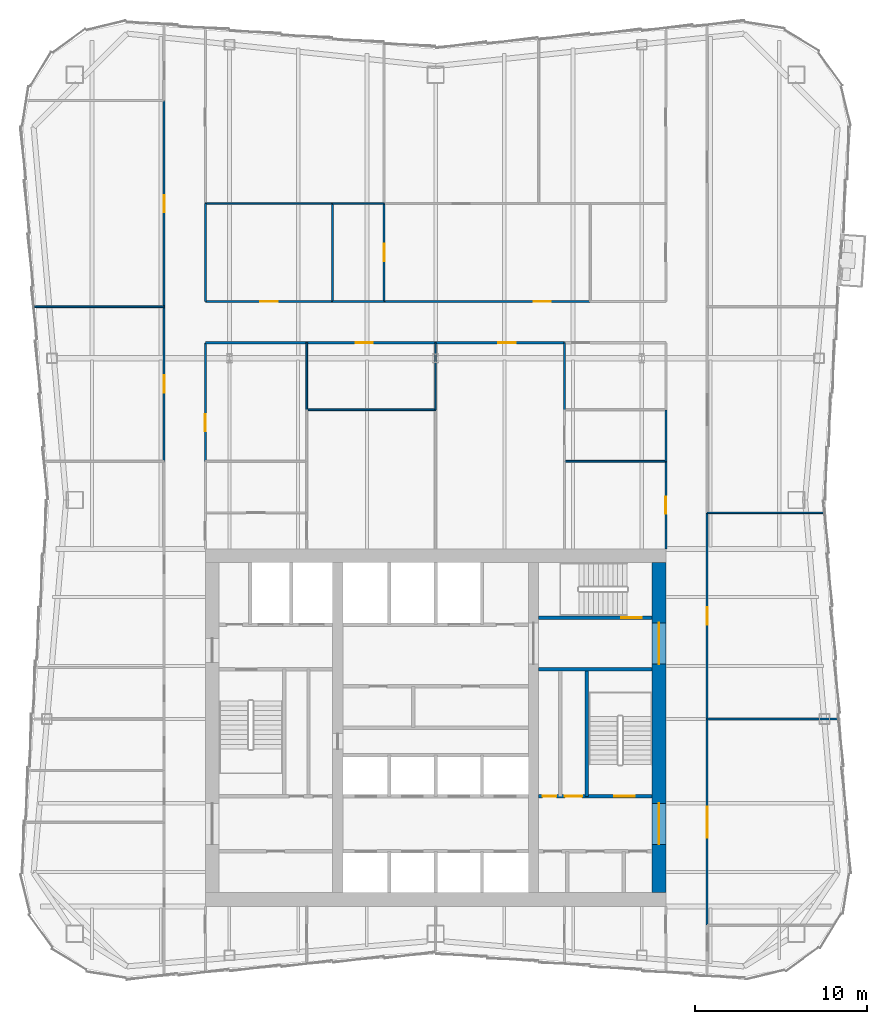
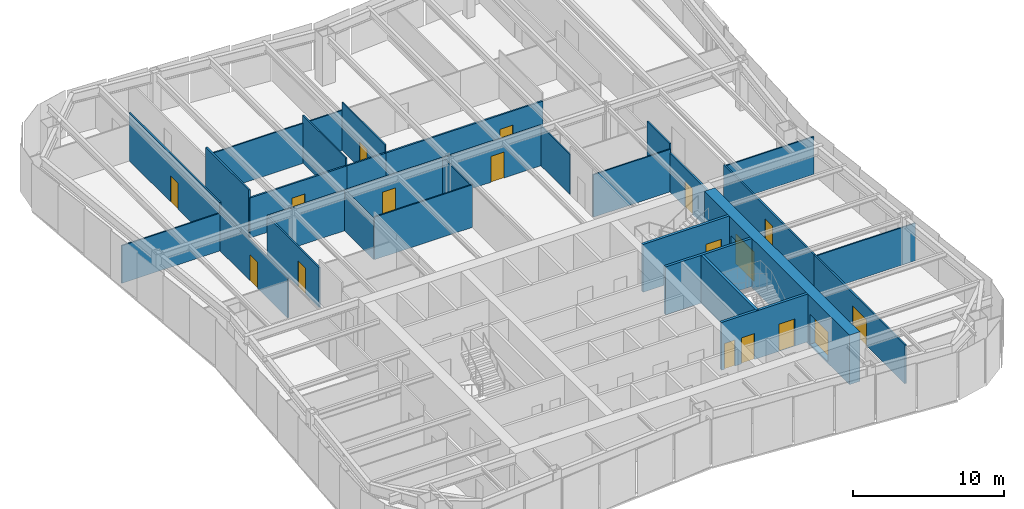
# One storey, part 8 of 11: 31 walls, 17 doors, 17 openings.
"""IFC4 building model written with IfcOpenShell, lengths in metres."""

from ifc_helpers import new_model, si_unit, direction, frame, frame_2d, origin, place, context, subcontext, project, spatial, rectangle, extrude, material, layer, layer_set, type_object, element, fill, save


model = new_model("IFC4")

# Units and contexts
model_context = context("Model", 3, precision=1e-05, world=origin(), true_north=direction((0.0, 1.0)))
body_context = subcontext(model_context, "Body", "Model", "MODEL_VIEW")
ifc_project = project(units=[si_unit("LENGTHUNIT", "METRE"), si_unit("AREAUNIT", "SQUARE_METRE"), si_unit("VOLUMEUNIT", "CUBIC_METRE"), si_unit("PLANEANGLEUNIT", "RADIAN"), si_unit("MASSUNIT", "GRAM", prefix="KILO")], contexts=[model_context])

# Site, building, storey
site_placement = place(None, origin())
site = spatial("IfcSite", under=ifc_project, at=site_placement, CompositionType="ELEMENT")
building_placement = place(site_placement, origin())
building = spatial("IfcBuilding", under=site, at=building_placement, Name="Verdant Reach Tower", CompositionType="ELEMENT")
storey_placement = place(building_placement, frame((0.0, 0.0, 254.0)))
storey = spatial("IfcBuildingStorey", under=building, at=storey_placement, Name="L58", CompositionType="ELEMENT", Elevation=254.0)

# Wall, openings, doors
ifc_material_1 = material(Name="Concrete C40/50", Category="concrete")
ifc_layer_1 = layer(ifc_material_1, 0.199951171875)
ifc_layer_set_1 = layer_set([ifc_layer_1], Name="CO-WALL-STAIR")
wall_type_1 = type_object("IfcWallType", Name="CO-WALL-STAIR", PredefinedType="PARTITIONING", material=ifc_layer_set_1)
wall_1_placement = place(storey_placement, frame((6.0, 24.0, 0.0), z_axis=(0.0, 0.0, 1.0), x_axis=(1.0, 0.0, 0.0)))
wall_1 = element("IfcWall", 1, at=wall_1_placement, inside=storey, type_object=wall_type_1, Name="Stair enclosure wall, L58", PredefinedType="PARTITIONING", context=body_context, shape_type="SweptSolid", body=[
    extrude(rectangle(XDim=6.60009765625, YDim=0.199951171875, at=frame_2d((3.300048828125, 0.0))), origin(), (0.0, 0.0, 1.0), 3.8701171875),
])
opening_1_placement = place(wall_1_placement, frame((0.22998046875, 0.0, 0.0)))
opening_1 = element("IfcOpeningElement", 2, at=opening_1_placement, cuts=wall_1, Name="Opening CDN", PredefinedType="OPENING", context=body_context, shape_type="SweptSolid", body=[
    extrude(rectangle(XDim=0.800048828125, YDim=2.10009765625, at=frame_2d((0.39990234375, 1.050048828125))), frame((0.0, 0.10986328125, 0.0), z_axis=(0.0, -1.0, 0.0), x_axis=(1.0, 0.0, 0.0)), (0.0, 0.0, 1.0), 0.219970703125),
])
opening_2_placement = place(wall_1_placement, frame((1.530029296875, 0.0, 0.0)))
opening_2 = element("IfcOpeningElement", 3, at=opening_2_placement, cuts=wall_1, Name="Opening CD", PredefinedType="OPENING", context=body_context, shape_type="SweptSolid", body=[
    extrude(rectangle(XDim=1.0, YDim=2.10009765625, at=frame_2d((0.5, 1.050048828125))), frame((0.0, 0.10986328125, 0.0), z_axis=(0.0, -1.0, 0.0), x_axis=(1.0, 0.0, 0.0)), (0.0, 0.0, 1.0), 0.219970703125),
])
opening_3_placement = place(wall_1_placement, frame((4.39990234375, 0.0, 0.0)))
opening_3 = element("IfcOpeningElement", 4, at=opening_3_placement, cuts=wall_1, Name="Opening SD", PredefinedType="OPENING", context=body_context, shape_type="SweptSolid", body=[
    extrude(rectangle(XDim=1.199951171875, YDim=2.199951171875, at=frame_2d((0.60009765625, 1.10009765625))), frame((0.0, 0.10986328125, 0.0), z_axis=(0.0, -1.0, 0.0), x_axis=(1.0, 0.0, 0.0)), (0.0, 0.0, 1.0), 0.219970703125),
])
ifc_material_2 = material(Name="Timber", Category="wood")
door_type_1 = type_object("IfcDoorType", Name="CO-DOOR-ROOM", OperationType="NOTDEFINED", PredefinedType="DOOR", material=ifc_material_2)
door_1_placement = place(opening_2_placement, origin())
door_1 = element("IfcDoor", 5, at=door_1_placement, inside=storey, type_object=door_type_1, Name="Core room door, L58", OperationType="SINGLE_SWING_LEFT", OverallHeight=2.10009765625, OverallWidth=1.0, PredefinedType="DOOR", context=body_context, shape_type="SweptSolid", body=[
    extrude(rectangle(XDim=1.0, YDim=2.10009765625, at=frame_2d((0.5, 1.050048828125))), frame((0.0, 0.02490234375, 0.0), z_axis=(0.0, -1.0, 0.0), x_axis=(1.0, 0.0, 0.0)), (0.0, 0.0, 1.0), 0.050048828125),
])
fill(opening_2, door_1)
door_type_2 = type_object("IfcDoorType", Name="CO-DOOR-ROOM-NARROW", OperationType="NOTDEFINED", PredefinedType="DOOR", material=ifc_material_2)
door_2_placement = place(opening_1_placement, origin())
door_2 = element("IfcDoor", 6, at=door_2_placement, inside=storey, type_object=door_type_2, Name="Core room door, L58", OperationType="SINGLE_SWING_RIGHT", OverallHeight=2.10009765625, OverallWidth=0.800048828125, PredefinedType="DOOR", context=body_context, shape_type="SweptSolid", body=[
    extrude(rectangle(XDim=0.800048828125, YDim=2.10009765625, at=frame_2d((0.39990234375, 1.050048828125))), frame((0.0, 0.02490234375, 0.0), z_axis=(0.0, -1.0, 0.0), x_axis=(1.0, 0.0, 0.0)), (0.0, 0.0, 1.0), 0.050048828125),
])
fill(opening_1, door_2)
ifc_material_3 = material(Name="Steel", Category="steel")
door_type_3 = type_object("IfcDoorType", Name="CO-DOOR-STAIR", OperationType="NOTDEFINED", PredefinedType="DOOR", material=ifc_material_3)
door_3_placement = place(opening_3_placement, origin())
door_3 = element("IfcDoor", 7, at=door_3_placement, inside=storey, type_object=door_type_3, Name="Stair door, L58", OperationType="SINGLE_SWING_LEFT", OverallHeight=2.199951171875, OverallWidth=1.199951171875, PredefinedType="DOOR", context=body_context, shape_type="SweptSolid", body=[
    extrude(rectangle(XDim=1.199951171875, YDim=2.199951171875, at=frame_2d((0.60009765625, 1.10009765625))), frame((0.0, 0.02490234375, 0.0), z_axis=(0.0, -1.0, 0.0), x_axis=(1.0, 0.0, 0.0)), (0.0, 0.0, 1.0), 0.050048828125),
])
fill(opening_3, door_3)

# Wall
wall_2_placement = place(storey_placement, frame((6.0, 31.39990234375, 0.0), z_axis=(0.0, 0.0, 1.0), x_axis=(1.0, 0.0, 0.0)))
element("IfcWall", 8, at=wall_2_placement, inside=storey, type_object=wall_type_1, Name="Stair enclosure wall, L58", PredefinedType="PARTITIONING", context=body_context, shape_type="SweptSolid", body=[
    extrude(rectangle(XDim=6.60009765625, YDim=0.199951171875, at=frame_2d((3.300048828125, 0.0))), origin(), (0.0, 0.0, 1.0), 3.8701171875),
])

# Wall, opening, door
wall_3_placement = place(storey_placement, frame((6.0, 34.39990234375, 0.0), z_axis=(0.0, 0.0, 1.0), x_axis=(1.0, 0.0, 0.0)))
wall_3 = element("IfcWall", 9, at=wall_3_placement, inside=storey, type_object=wall_type_1, Name="Stair enclosure wall, L58", PredefinedType="PARTITIONING", context=body_context, shape_type="SweptSolid", body=[
    extrude(rectangle(XDim=6.60009765625, YDim=0.199951171875, at=frame_2d((3.300048828125, 0.0))), origin(), (0.0, 0.0, 1.0), 3.8701171875),
])
opening_4_placement = place(wall_3_placement, frame((4.800048828125, 0.0, 0.0)))
opening_4 = element("IfcOpeningElement", 10, at=opening_4_placement, cuts=wall_3, Name="Opening SD", PredefinedType="OPENING", context=body_context, shape_type="SweptSolid", body=[
    extrude(rectangle(XDim=1.199951171875, YDim=2.199951171875, at=frame_2d((0.60009765625, 1.10009765625))), frame((0.0, 0.10986328125, 0.0), z_axis=(0.0, -1.0, 0.0), x_axis=(1.0, 0.0, 0.0)), (0.0, 0.0, 1.0), 0.219970703125),
])
door_4_placement = place(opening_4_placement, origin())
door_4 = element("IfcDoor", 11, at=door_4_placement, inside=storey, type_object=door_type_3, Name="Stair door, L58", OperationType="SINGLE_SWING_RIGHT", OverallHeight=2.199951171875, OverallWidth=1.199951171875, PredefinedType="DOOR", context=body_context, shape_type="SweptSolid", body=[
    extrude(rectangle(XDim=1.199951171875, YDim=2.199951171875, at=frame_2d((0.60009765625, 1.10009765625))), frame((0.0, 0.02490234375, 0.0), z_axis=(0.0, -1.0, 0.0), x_axis=(1.0, 0.0, 0.0)), (0.0, 0.0, 1.0), 0.050048828125),
])
fill(opening_4, door_4)

# Walls
wall_4_placement = place(storey_placement, frame((8.800048828125, 24.0, 0.0), z_axis=(0.0, 0.0, 1.0), x_axis=(0.0, 1.0, 0.0)))
element("IfcWall", 12, at=wall_4_placement, inside=storey, type_object=wall_type_1, Name="Stair enclosure wall, L58", PredefinedType="PARTITIONING", context=body_context, shape_type="SweptSolid", body=[
    extrude(rectangle(XDim=7.39990234375, YDim=0.199951171875, at=frame_2d((3.699951171875, 0.0))), origin(), (0.0, 0.0, 1.0), 3.8701171875),
])
ifc_material_4 = material(Name="Gypsum board on steel studs", Category="steel")
ifc_layer_2 = layer(ifc_material_4, 0.10009765625)
ifc_layer_set_2 = layer_set([ifc_layer_2], Name="FL-W1 Partition 100")
wall_type_2 = type_object("IfcWallType", Name="FL-W1 Partition 100", PredefinedType="PARTITIONING", material=ifc_layer_set_2)
wall_5_placement = place(storey_placement, frame((-15.800048828125, 52.5, 0.0), z_axis=(0.0, 0.0, 1.0), x_axis=(-1.0, 0.0, 0.0)))
element("IfcWall", 13, at=wall_5_placement, inside=storey, type_object=wall_type_2, Name="Partition 58.39", PredefinedType="PARTITIONING", context=body_context, shape_type="SweptSolid", body=[
    extrude(rectangle(XDim=7.555908203125, YDim=0.10009765625, at=frame_2d((3.77783203125, 0.0))), origin(), (0.0, 0.0, 1.0), 3.0400390625),
])
wall_6_placement = place(storey_placement, frame((23.459228515625, 28.5, 0.0), z_axis=(0.0, 0.0, 1.0), x_axis=(-1.0, 0.0, 0.0)))
element("IfcWall", 14, at=wall_6_placement, inside=storey, type_object=wall_type_2, Name="Partition 58.42", PredefinedType="PARTITIONING", context=body_context, shape_type="SweptSolid", body=[
    extrude(rectangle(XDim=7.6591796875, YDim=0.10009765625, at=frame_2d((3.82958984375, 0.0))), origin(), (0.0, 0.0, 1.0), 3.0400390625),
])
wall_7_placement = place(storey_placement, frame((22.631591796875, 40.5, 0.0), z_axis=(0.0, 0.0, 1.0), x_axis=(-1.0, 0.0, 0.0)))
element("IfcWall", 15, at=wall_7_placement, inside=storey, type_object=wall_type_2, Name="Partition 58.43", PredefinedType="PARTITIONING", context=body_context, shape_type="SweptSolid", body=[
    extrude(rectangle(XDim=6.83154296875, YDim=0.10009765625, at=frame_2d((3.415771484375, 0.0))), origin(), (0.0, 0.0, 1.0), 3.0400390625),
])
wall_8_placement = place(storey_placement, frame((-7.5, 46.5, 0.0), z_axis=(0.0, 0.0, 1.0), x_axis=(0.0, 1.0, 0.0)))
element("IfcWall", 16, at=wall_8_placement, inside=storey, type_object=wall_type_2, Name="Partition 58.53", PredefinedType="PARTITIONING", context=body_context, shape_type="SweptSolid", body=[
    extrude(rectangle(XDim=3.89990234375, YDim=0.10009765625, at=frame_2d((1.949951171875, 0.0))), origin(), (0.0, 0.0, 1.0), 3.239990234375),
])
wall_9_placement = place(storey_placement, frame((0.0, 46.5, 0.0), z_axis=(0.0, 0.0, 1.0), x_axis=(-1.0, 0.0, 0.0)))
element("IfcWall", 17, at=wall_9_placement, inside=storey, type_object=wall_type_2, Name="Partition 58.54", PredefinedType="PARTITIONING", context=body_context, shape_type="SweptSolid", body=[
    extrude(rectangle(XDim=7.5, YDim=0.10009765625, at=frame_2d((3.75, 0.0))), origin(), (0.0, 0.0, 1.0), 3.43994140625),
])
wall_10_placement = place(storey_placement, frame((0.0, 46.49609375, 0.0), z_axis=(0.0, 0.0, 1.0), x_axis=(0.0, 1.0, 0.0)))
element("IfcWall", 18, at=wall_10_placement, inside=storey, type_object=wall_type_2, Name="Partition 58.56", PredefinedType="PARTITIONING", context=body_context, shape_type="SweptSolid", body=[
    extrude(rectangle(XDim=3.90380859375, YDim=0.10009765625, at=frame_2d((1.951904296875, 0.0))), origin(), (0.0, 0.0, 1.0), 3.2900390625),
])
wall_11_placement = place(storey_placement, frame((13.39990234375, 43.5, 0.0), z_axis=(0.0, 0.0, 1.0), x_axis=(-1.0, 0.0, 0.0)))
element("IfcWall", 19, at=wall_11_placement, inside=storey, type_object=wall_type_2, Name="Partition 58.57", PredefinedType="PARTITIONING", context=body_context, shape_type="SweptSolid", body=[
    extrude(rectangle(XDim=5.89990234375, YDim=0.10009765625, at=frame_2d((2.949951171875, 0.0))), origin(), (0.0, 0.0, 1.0), 3.43994140625),
])
wall_12_placement = place(storey_placement, frame((7.5, 50.39990234375, 0.0), z_axis=(0.0, 0.0, 1.0), x_axis=(0.0, -1.0, 0.0)))
element("IfcWall", 20, at=wall_12_placement, inside=storey, type_object=wall_type_2, Name="Partition 58.61", PredefinedType="PARTITIONING", context=body_context, shape_type="SweptSolid", body=[
    extrude(rectangle(XDim=3.90380859375, YDim=0.10009765625, at=frame_2d((1.951904296875, 0.0))), origin(), (0.0, 0.0, 1.0), 3.239990234375),
])
wall_13_placement = place(storey_placement, frame((-6.0, 52.800048828125, 0.0), z_axis=(0.0, 0.0, 1.0), x_axis=(0.0, 1.0, 0.0)))
element("IfcWall", 21, at=wall_13_placement, inside=storey, type_object=wall_type_2, Name="Partition 58.62", PredefinedType="PARTITIONING", context=body_context, shape_type="SweptSolid", body=[
    extrude(rectangle(XDim=5.699951171875, YDim=0.10009765625, at=frame_2d((2.85009765625, 0.0))), origin(), (0.0, 0.0, 1.0), 3.8701171875),
])
wall_14_placement = place(storey_placement, frame((-5.99609375, 58.5, 0.0), z_axis=(0.0, 0.0, 1.0), x_axis=(-1.0, 0.0, 0.0)))
element("IfcWall", 22, at=wall_14_placement, inside=storey, type_object=wall_type_2, Name="Partition 58.63", PredefinedType="PARTITIONING", context=body_context, shape_type="SweptSolid", body=[
    extrude(rectangle(XDim=7.40380859375, YDim=0.10009765625, at=frame_2d((3.701904296875, 0.0))), origin(), (0.0, 0.0, 1.0), 3.239990234375),
])

# Wall, opening, door
wall_15_placement = place(storey_placement, frame((-3.0, 52.800048828125, 0.0), z_axis=(0.0, 0.0, 1.0), x_axis=(0.0, 1.0, 0.0)))
wall_15 = element("IfcWall", 23, at=wall_15_placement, inside=storey, type_object=wall_type_2, Name="Partition 58.64", PredefinedType="PARTITIONING", context=body_context, shape_type="SweptSolid", body=[
    extrude(rectangle(XDim=5.699951171875, YDim=0.10009765625, at=frame_2d((2.85009765625, 0.0))), origin(), (0.0, 0.0, 1.0), 3.8701171875),
])
opening_5_placement = place(wall_15_placement, frame((2.35009765625, 0.0, 0.0)))
opening_5 = element("IfcOpeningElement", 24, at=opening_5_placement, cuts=wall_15, Name="Opening D3", PredefinedType="OPENING", context=body_context, shape_type="SweptSolid", body=[
    extrude(rectangle(XDim=1.0, YDim=2.10009765625, at=frame_2d((0.5, 1.050048828125))), frame((0.0, 0.06005859375, 0.0), z_axis=(0.0, -1.0, 0.0), x_axis=(1.0, 0.0, 0.0)), (0.0, 0.0, 1.0), 0.1201171875),
])
ifc_material_5 = material(Name="Painted timber door leaf", Category="wood")
door_type_4 = type_object("IfcDoorType", Name="FL-D3 Door 1000x2100", OperationType="NOTDEFINED", PredefinedType="DOOR", material=ifc_material_5)
door_5_placement = place(opening_5_placement, origin())
door_5 = element("IfcDoor", 25, at=door_5_placement, inside=storey, type_object=door_type_4, Name="Door 58-032", OperationType="SINGLE_SWING_RIGHT", OverallHeight=2.10009765625, OverallWidth=1.0, PredefinedType="DOOR", context=body_context, shape_type="SweptSolid", body=[
    extrude(rectangle(XDim=1.0, YDim=2.10009765625, at=frame_2d((0.5, 1.050048828125))), frame((0.0, 0.02490234375, 0.0), z_axis=(0.0, -1.0, 0.0), x_axis=(1.0, 0.0, 0.0)), (0.0, 0.0, 1.0), 0.050048828125),
])
fill(opening_5, door_5)

# Wall
wall_16_placement = place(storey_placement, frame((-3.0, 58.5, 0.0), z_axis=(0.0, 0.0, 1.0), x_axis=(-1.0, 0.0, 0.0)))
element("IfcWall", 26, at=wall_16_placement, inside=storey, type_object=wall_type_2, Name="Partition 58.65", PredefinedType="PARTITIONING", context=body_context, shape_type="SweptSolid", body=[
    extrude(rectangle(XDim=3.00390625, YDim=0.10009765625, at=frame_2d((1.501953125, 0.0))), origin(), (0.0, 0.0, 1.0), 3.239990234375),
])

# Wall, opening, door
ifc_material_6 = material(Name="Gypsum board on steel studs, fire rated", Category="steel")
ifc_layer_3 = layer(ifc_material_6, 0.125)
ifc_layer_set_3 = layer_set([ifc_layer_3], Name="FL-W2 Corridor wall 125")
wall_type_3 = type_object("IfcWallType", Name="FL-W2 Corridor wall 125", PredefinedType="PARTITIONING", material=ifc_layer_set_3)
wall_17_placement = place(storey_placement, frame((-15.800048828125, 43.5, 0.0), z_axis=(0.0, 0.0, 1.0), x_axis=(0.0, 1.0, 0.0)))
wall_17 = element("IfcWall", 27, at=wall_17_placement, inside=storey, type_object=wall_type_3, Name="Partition 58.06", PredefinedType="PARTITIONING", context=body_context, shape_type="SweptSolid", body=[
    extrude(rectangle(XDim=9.0, YDim=0.125, at=frame_2d((4.5, 0.0))), origin(), (0.0, 0.0, 1.0), 3.239990234375),
])
opening_6_placement = place(wall_17_placement, frame((4.0, 0.0, 0.0)))
opening_6 = element("IfcOpeningElement", 28, at=opening_6_placement, cuts=wall_17, Name="Opening D2", PredefinedType="OPENING", context=body_context, shape_type="SweptSolid", body=[
    extrude(rectangle(XDim=1.0, YDim=2.10009765625, at=frame_2d((0.5, 1.050048828125))), frame((0.0, 0.072509765625, 0.0), z_axis=(0.0, -1.0, 0.0), x_axis=(1.0, 0.0, 0.0)), (0.0, 0.0, 1.0), 0.14501953125),
])
ifc_material_7 = material(Name="Timber door leaf, fire rated", Category="wood")
door_type_5 = type_object("IfcDoorType", Name="FL-D2 Entrance door 1000x2100 FD30", OperationType="NOTDEFINED", PredefinedType="DOOR", material=ifc_material_7)
door_6_placement = place(opening_6_placement, origin())
door_6 = element("IfcDoor", 29, at=door_6_placement, inside=storey, type_object=door_type_5, Name="Door 58-006", OperationType="SINGLE_SWING_RIGHT", OverallHeight=2.10009765625, OverallWidth=1.0, PredefinedType="DOOR", context=body_context, shape_type="SweptSolid", body=[
    extrude(rectangle(XDim=1.0, YDim=2.10009765625, at=frame_2d((0.5, 1.050048828125))), frame((0.0, 0.02490234375, 0.0), z_axis=(0.0, -1.0, 0.0), x_axis=(1.0, 0.0, 0.0)), (0.0, 0.0, 1.0), 0.050048828125),
])
fill(opening_6, door_6)

wall_18_placement = place(storey_placement, frame((-15.800048828125, 52.5, 0.0), z_axis=(0.0, 0.0, 1.0), x_axis=(0.0, 1.0, 0.0)))
wall_18 = element("IfcWall", 30, at=wall_18_placement, inside=storey, type_object=wall_type_3, Name="Partition 58.07", PredefinedType="PARTITIONING", context=body_context, shape_type="SweptSolid", body=[
    extrude(rectangle(XDim=12.0, YDim=0.125, at=frame_2d((6.0, 0.0))), origin(), (0.0, 0.0, 1.0), 3.8701171875),
])
opening_7_placement = place(wall_18_placement, frame((5.5, 0.0, 0.0)))
opening_7 = element("IfcOpeningElement", 31, at=opening_7_placement, cuts=wall_18, Name="Opening D2", PredefinedType="OPENING", context=body_context, shape_type="SweptSolid", body=[
    extrude(rectangle(XDim=1.0, YDim=2.10009765625, at=frame_2d((0.5, 1.050048828125))), frame((0.0, 0.072509765625, 0.0), z_axis=(0.0, -1.0, 0.0), x_axis=(1.0, 0.0, 0.0)), (0.0, 0.0, 1.0), 0.14501953125),
])
door_7_placement = place(opening_7_placement, origin())
door_7 = element("IfcDoor", 32, at=door_7_placement, inside=storey, type_object=door_type_5, Name="Door 58-007", OperationType="SINGLE_SWING_LEFT", OverallHeight=2.10009765625, OverallWidth=1.0, PredefinedType="DOOR", context=body_context, shape_type="SweptSolid", body=[
    extrude(rectangle(XDim=1.0, YDim=2.10009765625, at=frame_2d((0.5, 1.050048828125))), frame((0.0, 0.02490234375, 0.0), z_axis=(0.0, -1.0, 0.0), x_axis=(1.0, 0.0, 0.0)), (0.0, 0.0, 1.0), 0.050048828125),
])
fill(opening_7, door_7)

wall_19_placement = place(storey_placement, frame((15.800048828125, 16.5, 0.0), z_axis=(0.0, 0.0, 1.0), x_axis=(0.0, 1.0, 0.0)))
wall_19 = element("IfcWall", 33, at=wall_19_placement, inside=storey, type_object=wall_type_3, Name="Partition 58.10", PredefinedType="PARTITIONING", context=body_context, shape_type="SweptSolid", body=[
    extrude(rectangle(XDim=12.0, YDim=0.125, at=frame_2d((6.0, 0.0))), origin(), (0.0, 0.0, 1.0), 3.139892578125),
])
opening_8_placement = place(wall_19_placement, frame((5.10009765625, 0.0, 0.0)))
opening_8 = element("IfcOpeningElement", 34, at=opening_8_placement, cuts=wall_19, Name="Opening D4", PredefinedType="OPENING", context=body_context, shape_type="SweptSolid", body=[
    extrude(rectangle(XDim=1.800048828125, YDim=2.10009765625, at=frame_2d((0.89990234375, 1.050048828125))), frame((0.0, 0.072509765625, 0.0), z_axis=(0.0, -1.0, 0.0), x_axis=(1.0, 0.0, 0.0)), (0.0, 0.0, 1.0), 0.14501953125),
])
ifc_material_8 = material(Name="Timber door leaves, fire rated", Category="wood")
door_type_6 = type_object("IfcDoorType", Name="FL-D4 Double door 1800x2100 FD30", OperationType="DOUBLE_DOOR_SINGLE_SWING", PredefinedType="DOOR", material=ifc_material_8)
door_8_placement = place(opening_8_placement, origin())
door_8 = element("IfcDoor", 35, at=door_8_placement, inside=storey, type_object=door_type_6, Name="Door 58-010", OperationType="DOUBLE_DOOR_SINGLE_SWING", OverallHeight=2.10009765625, OverallWidth=1.800048828125, PredefinedType="DOOR", context=body_context, shape_type="SweptSolid", body=[
    extrude(rectangle(XDim=1.800048828125, YDim=2.10009765625, at=frame_2d((0.89990234375, 1.050048828125))), frame((0.0, 0.02490234375, 0.0), z_axis=(0.0, -1.0, 0.0), x_axis=(1.0, 0.0, 0.0)), (0.0, 0.0, 1.0), 0.050048828125),
])
fill(opening_8, door_8)

wall_20_placement = place(storey_placement, frame((15.800048828125, 40.5, 0.0), z_axis=(0.0, 0.0, 1.0), x_axis=(0.0, -1.0, 0.0)))
wall_20 = element("IfcWall", 36, at=wall_20_placement, inside=storey, type_object=wall_type_3, Name="Partition 58.11", PredefinedType="PARTITIONING", context=body_context, shape_type="SweptSolid", body=[
    extrude(rectangle(XDim=12.0, YDim=0.125, at=frame_2d((6.0, 0.0))), origin(), (0.0, 0.0, 1.0), 3.139892578125),
])
opening_9_placement = place(wall_20_placement, frame((5.5, 0.0, 0.0)))
opening_9 = element("IfcOpeningElement", 37, at=opening_9_placement, cuts=wall_20, Name="Opening D2", PredefinedType="OPENING", context=body_context, shape_type="SweptSolid", body=[
    extrude(rectangle(XDim=1.0, YDim=2.10009765625, at=frame_2d((0.5, 1.050048828125))), frame((0.0, 0.072509765625, 0.0), z_axis=(0.0, -1.0, 0.0), x_axis=(1.0, 0.0, 0.0)), (0.0, 0.0, 1.0), 0.14501953125),
])
door_9_placement = place(opening_9_placement, origin())
door_9 = element("IfcDoor", 38, at=door_9_placement, inside=storey, type_object=door_type_5, Name="Door 58-011", OperationType="SINGLE_SWING_LEFT", OverallHeight=2.10009765625, OverallWidth=1.0, PredefinedType="DOOR", context=body_context, shape_type="SweptSolid", body=[
    extrude(rectangle(XDim=1.0, YDim=2.10009765625, at=frame_2d((0.5, 1.050048828125))), frame((0.0, 0.02490234375, 0.0), z_axis=(0.0, -1.0, 0.0), x_axis=(1.0, 0.0, 0.0)), (0.0, 0.0, 1.0), 0.050048828125),
])
fill(opening_9, door_9)

wall_21_placement = place(storey_placement, frame((-13.39990234375, 50.39990234375, 0.0), z_axis=(0.0, 0.0, 1.0), x_axis=(0.0, -1.0, 0.0)))
wall_21 = element("IfcWall", 39, at=wall_21_placement, inside=storey, type_object=wall_type_3, Name="Partition 58.18", PredefinedType="PARTITIONING", context=body_context, shape_type="SweptSolid", body=[
    extrude(rectangle(XDim=6.89990234375, YDim=0.125, at=frame_2d((3.449951171875, 0.0))), origin(), (0.0, 0.0, 1.0), 3.239990234375),
])
opening_10_placement = place(wall_21_placement, frame((4.14990234375, 0.0, 0.0)))
opening_10 = element("IfcOpeningElement", 40, at=opening_10_placement, cuts=wall_21, Name="Opening D2", PredefinedType="OPENING", context=body_context, shape_type="SweptSolid", body=[
    extrude(rectangle(XDim=1.0, YDim=2.10009765625, at=frame_2d((0.5, 1.050048828125))), frame((0.0, 0.072509765625, 0.0), z_axis=(0.0, -1.0, 0.0), x_axis=(1.0, 0.0, 0.0)), (0.0, 0.0, 1.0), 0.14501953125),
])
door_10_placement = place(opening_10_placement, origin())
door_10 = element("IfcDoor", 41, at=door_10_placement, inside=storey, type_object=door_type_5, Name="Door 58-017", OperationType="SINGLE_SWING_RIGHT", OverallHeight=2.10009765625, OverallWidth=1.0, PredefinedType="DOOR", context=body_context, shape_type="SweptSolid", body=[
    extrude(rectangle(XDim=1.0, YDim=2.10009765625, at=frame_2d((0.5, 1.050048828125))), frame((0.0, 0.02490234375, 0.0), z_axis=(0.0, -1.0, 0.0), x_axis=(1.0, 0.0, 0.0)), (0.0, 0.0, 1.0), 0.050048828125),
])
fill(opening_10, door_10)

# Wall
wall_22_placement = place(storey_placement, frame((-7.5, 50.39990234375, 0.0), z_axis=(0.0, 0.0, 1.0), x_axis=(-1.0, 0.0, 0.0)))
element("IfcWall", 42, at=wall_22_placement, inside=storey, type_object=wall_type_3, Name="Partition 58.19", PredefinedType="PARTITIONING", context=body_context, shape_type="SweptSolid", body=[
    extrude(rectangle(XDim=5.89990234375, YDim=0.125, at=frame_2d((2.949951171875, 0.0))), origin(), (0.0, 0.0, 1.0), 3.239990234375),
])

# Wall, opening, door
wall_23_placement = place(storey_placement, frame((0.0, 50.39990234375, 0.0), z_axis=(0.0, 0.0, 1.0), x_axis=(-1.0, 0.0, 0.0)))
wall_23 = element("IfcWall", 43, at=wall_23_placement, inside=storey, type_object=wall_type_3, Name="Partition 58.20", PredefinedType="PARTITIONING", context=body_context, shape_type="SweptSolid", body=[
    extrude(rectangle(XDim=7.5, YDim=0.125, at=frame_2d((3.75, 0.0))), origin(), (0.0, 0.0, 1.0), 3.239990234375),
])
opening_11_placement = place(wall_23_placement, frame((3.64990234375, 0.0, 0.0)))
opening_11 = element("IfcOpeningElement", 44, at=opening_11_placement, cuts=wall_23, Name="Opening D2", PredefinedType="OPENING", context=body_context, shape_type="SweptSolid", body=[
    extrude(rectangle(XDim=1.0, YDim=2.10009765625, at=frame_2d((0.5, 1.050048828125))), frame((0.0, 0.072509765625, 0.0), z_axis=(0.0, -1.0, 0.0), x_axis=(1.0, 0.0, 0.0)), (0.0, 0.0, 1.0), 0.14501953125),
])
door_11_placement = place(opening_11_placement, origin())
door_11 = element("IfcDoor", 45, at=door_11_placement, inside=storey, type_object=door_type_5, Name="Door 58-018", OperationType="SINGLE_SWING_RIGHT", OverallHeight=2.10009765625, OverallWidth=1.0, PredefinedType="DOOR", context=body_context, shape_type="SweptSolid", body=[
    extrude(rectangle(XDim=1.0, YDim=2.10009765625, at=frame_2d((0.5, 1.050048828125))), frame((0.0, 0.02490234375, 0.0), z_axis=(0.0, -1.0, 0.0), x_axis=(1.0, 0.0, 0.0)), (0.0, 0.0, 1.0), 0.050048828125),
])
fill(opening_11, door_11)

wall_24_placement = place(storey_placement, frame((13.39990234375, 38.39990234375, 0.0), z_axis=(0.0, 0.0, 1.0), x_axis=(0.0, 1.0, 0.0)))
wall_24 = element("IfcWall", 46, at=wall_24_placement, inside=storey, type_object=wall_type_3, Name="Partition 58.21", PredefinedType="PARTITIONING", context=body_context, shape_type="SweptSolid", body=[
    extrude(rectangle(XDim=5.10009765625, YDim=0.125, at=frame_2d((2.550048828125, 0.0))), origin(), (0.0, 0.0, 1.0), 3.139892578125),
])
opening_12_placement = place(wall_24_placement, frame((2.050048828125, 0.0, 0.0)))
opening_12 = element("IfcOpeningElement", 47, at=opening_12_placement, cuts=wall_24, Name="Opening D2", PredefinedType="OPENING", context=body_context, shape_type="SweptSolid", body=[
    extrude(rectangle(XDim=1.0, YDim=2.10009765625, at=frame_2d((0.5, 1.050048828125))), frame((0.0, 0.072509765625, 0.0), z_axis=(0.0, -1.0, 0.0), x_axis=(1.0, 0.0, 0.0)), (0.0, 0.0, 1.0), 0.14501953125),
])
door_12_placement = place(opening_12_placement, origin())
door_12 = element("IfcDoor", 48, at=door_12_placement, inside=storey, type_object=door_type_5, Name="Door 58-019", OperationType="SINGLE_SWING_LEFT", OverallHeight=2.10009765625, OverallWidth=1.0, PredefinedType="DOOR", context=body_context, shape_type="SweptSolid", body=[
    extrude(rectangle(XDim=1.0, YDim=2.10009765625, at=frame_2d((0.5, 1.050048828125))), frame((0.0, 0.02490234375, 0.0), z_axis=(0.0, -1.0, 0.0), x_axis=(1.0, 0.0, 0.0)), (0.0, 0.0, 1.0), 0.050048828125),
])
fill(opening_12, door_12)

# Wall
wall_25_placement = place(storey_placement, frame((13.39990234375, 43.5, 0.0), z_axis=(0.0, 0.0, 1.0), x_axis=(0.0, 1.0, 0.0)))
element("IfcWall", 49, at=wall_25_placement, inside=storey, type_object=wall_type_3, Name="Partition 58.22", PredefinedType="PARTITIONING", context=body_context, shape_type="SweptSolid", body=[
    extrude(rectangle(XDim=3.0, YDim=0.125, at=frame_2d((1.5, 0.0))), origin(), (0.0, 0.0, 1.0), 3.8701171875),
])

# Wall, opening, door
wall_26_placement = place(storey_placement, frame((7.5, 50.39990234375, 0.0), z_axis=(0.0, 0.0, 1.0), x_axis=(-1.0, 0.0, 0.0)))
wall_26 = element("IfcWall", 50, at=wall_26_placement, inside=storey, type_object=wall_type_3, Name="Partition 58.25", PredefinedType="PARTITIONING", context=body_context, shape_type="SweptSolid", body=[
    extrude(rectangle(XDim=7.5, YDim=0.125, at=frame_2d((3.75, 0.0))), origin(), (0.0, 0.0, 1.0), 3.239990234375),
])
opening_13_placement = place(wall_26_placement, frame((2.85009765625, 0.0, 0.0)))
opening_13 = element("IfcOpeningElement", 51, at=opening_13_placement, cuts=wall_26, Name="Opening D2", PredefinedType="OPENING", context=body_context, shape_type="SweptSolid", body=[
    extrude(rectangle(XDim=1.0, YDim=2.10009765625, at=frame_2d((0.5, 1.050048828125))), frame((0.0, 0.072509765625, 0.0), z_axis=(0.0, -1.0, 0.0), x_axis=(1.0, 0.0, 0.0)), (0.0, 0.0, 1.0), 0.14501953125),
])
door_13_placement = place(opening_13_placement, origin())
door_13 = element("IfcDoor", 52, at=door_13_placement, inside=storey, type_object=door_type_5, Name="Door 58-021", OperationType="SINGLE_SWING_LEFT", OverallHeight=2.10009765625, OverallWidth=1.0, PredefinedType="DOOR", context=body_context, shape_type="SweptSolid", body=[
    extrude(rectangle(XDim=1.0, YDim=2.10009765625, at=frame_2d((0.5, 1.050048828125))), frame((0.0, 0.02490234375, 0.0), z_axis=(0.0, -1.0, 0.0), x_axis=(1.0, 0.0, 0.0)), (0.0, 0.0, 1.0), 0.050048828125),
])
fill(opening_13, door_13)

wall_27_placement = place(storey_placement, frame((-13.39990234375, 52.800048828125, 0.0), z_axis=(0.0, 0.0, 1.0), x_axis=(1.0, 0.0, 0.0)))
wall_27 = element("IfcWall", 53, at=wall_27_placement, inside=storey, type_object=wall_type_3, Name="Partition 58.26", PredefinedType="PARTITIONING", context=body_context, shape_type="SweptSolid", body=[
    extrude(rectangle(XDim=7.39990234375, YDim=0.125, at=frame_2d((3.699951171875, 0.0))), origin(), (0.0, 0.0, 1.0), 3.239990234375),
])
opening_14_placement = place(wall_27_placement, frame((3.199951171875, 0.0, 0.0)))
opening_14 = element("IfcOpeningElement", 54, at=opening_14_placement, cuts=wall_27, Name="Opening D2", PredefinedType="OPENING", context=body_context, shape_type="SweptSolid", body=[
    extrude(rectangle(XDim=1.0, YDim=2.10009765625, at=frame_2d((0.5, 1.050048828125))), frame((0.0, 0.072509765625, 0.0), z_axis=(0.0, -1.0, 0.0), x_axis=(1.0, 0.0, 0.0)), (0.0, 0.0, 1.0), 0.14501953125),
])
door_14_placement = place(opening_14_placement, origin())
door_14 = element("IfcDoor", 55, at=door_14_placement, inside=storey, type_object=door_type_5, Name="Door 58-022", OperationType="SINGLE_SWING_RIGHT", OverallHeight=2.10009765625, OverallWidth=1.0, PredefinedType="DOOR", context=body_context, shape_type="SweptSolid", body=[
    extrude(rectangle(XDim=1.0, YDim=2.10009765625, at=frame_2d((0.5, 1.050048828125))), frame((0.0, 0.02490234375, 0.0), z_axis=(0.0, -1.0, 0.0), x_axis=(1.0, 0.0, 0.0)), (0.0, 0.0, 1.0), 0.050048828125),
])
fill(opening_14, door_14)

# Walls
wall_28_placement = place(storey_placement, frame((-13.39990234375, 52.800048828125, 0.0), z_axis=(0.0, 0.0, 1.0), x_axis=(0.0, 1.0, 0.0)))
element("IfcWall", 56, at=wall_28_placement, inside=storey, type_object=wall_type_3, Name="Partition 58.27", PredefinedType="PARTITIONING", context=body_context, shape_type="SweptSolid", body=[
    extrude(rectangle(XDim=5.699951171875, YDim=0.125, at=frame_2d((2.85009765625, 0.0))), origin(), (0.0, 0.0, 1.0), 3.8701171875),
])
wall_29_placement = place(storey_placement, frame((-3.0, 52.800048828125, 0.0), z_axis=(0.0, 0.0, 1.0), x_axis=(-1.0, 0.0, 0.0)))
element("IfcWall", 57, at=wall_29_placement, inside=storey, type_object=wall_type_3, Name="Partition 58.28", PredefinedType="PARTITIONING", context=body_context, shape_type="SweptSolid", body=[
    extrude(rectangle(XDim=3.0, YDim=0.125, at=frame_2d((1.5, 0.0))), origin(), (0.0, 0.0, 1.0), 3.239990234375),
])

# Wall, opening, door
wall_30_placement = place(storey_placement, frame((9.0, 52.800048828125, 0.0), z_axis=(0.0, 0.0, 1.0), x_axis=(-1.0, 0.0, 0.0)))
wall_30 = element("IfcWall", 58, at=wall_30_placement, inside=storey, type_object=wall_type_3, Name="Partition 58.29", PredefinedType="PARTITIONING", context=body_context, shape_type="SweptSolid", body=[
    extrude(rectangle(XDim=12.0, YDim=0.125, at=frame_2d((6.0, 0.0))), origin(), (0.0, 0.0, 1.0), 3.239990234375),
])
opening_15_placement = place(wall_30_placement, frame((2.300048828125, 0.0, 0.0)))
opening_15 = element("IfcOpeningElement", 59, at=opening_15_placement, cuts=wall_30, Name="Opening D2", PredefinedType="OPENING", context=body_context, shape_type="SweptSolid", body=[
    extrude(rectangle(XDim=1.0, YDim=2.10009765625, at=frame_2d((0.5, 1.050048828125))), frame((0.0, 0.072509765625, 0.0), z_axis=(0.0, -1.0, 0.0), x_axis=(1.0, 0.0, 0.0)), (0.0, 0.0, 1.0), 0.14501953125),
])
door_15_placement = place(opening_15_placement, origin())
door_15 = element("IfcDoor", 60, at=door_15_placement, inside=storey, type_object=door_type_5, Name="Door 58-023", OperationType="SINGLE_SWING_LEFT", OverallHeight=2.10009765625, OverallWidth=1.0, PredefinedType="DOOR", context=body_context, shape_type="SweptSolid", body=[
    extrude(rectangle(XDim=1.0, YDim=2.10009765625, at=frame_2d((0.5, 1.050048828125))), frame((0.0, 0.02490234375, 0.0), z_axis=(0.0, -1.0, 0.0), x_axis=(1.0, 0.0, 0.0)), (0.0, 0.0, 1.0), 0.050048828125),
])
fill(opening_15, door_15)

# Wall, openings, doors
ifc_material_9 = material(Name="Concrete C70/85", Category="concrete")
ifc_layer_4 = layer(ifc_material_9, 0.800048828125)
ifc_layer_set_4 = layer_set([ifc_layer_4], Name="ST-CORE-WALL-800")
wall_type_4 = type_object("IfcWallType", Name="ST-CORE-WALL-800", PredefinedType="SHEAR", material=ifc_layer_set_4)
wall_31_placement = place(storey_placement, frame((13.0, 18.39990234375, -0.1298828125), z_axis=(0.0, 0.0, 1.0), x_axis=(0.0, 1.0, 0.0)))
wall_31 = element("IfcWall", 61, at=wall_31_placement, inside=storey, type_object=wall_type_4, Name="Core wall E, L58", PredefinedType="SHEAR", context=body_context, shape_type="SweptSolid", body=[
    extrude(rectangle(XDim=19.2001953125, YDim=0.800048828125, at=frame_2d((9.60009765625, 0.0))), origin(), (0.0, 0.0, 1.0), 4.0),
])
opening_16_placement = place(wall_31_placement, frame((2.800048828125, 0.0, 0.1298828125)))
opening_16 = element("IfcOpeningElement", 62, at=opening_16_placement, cuts=wall_31, Name="Opening LB", PredefinedType="OPENING", context=body_context, shape_type="SweptSolid", body=[
    extrude(rectangle(XDim=2.39990234375, YDim=2.39990234375, at=frame_2d((1.199951171875, 1.199951171875))), frame((0.0, 0.409912109375, 0.0), z_axis=(0.0, -1.0, 0.0), x_axis=(1.0, 0.0, 0.0)), (0.0, 0.0, 1.0), 0.820068359375),
])
opening_17_placement = place(wall_31_placement, frame((13.300048828125, 0.0, 0.1298828125)))
opening_17 = element("IfcOpeningElement", 63, at=opening_17_placement, cuts=wall_31, Name="Opening LB", PredefinedType="OPENING", context=body_context, shape_type="SweptSolid", body=[
    extrude(rectangle(XDim=2.39990234375, YDim=2.39990234375, at=frame_2d((1.199951171875, 1.199951171875))), frame((0.0, 0.409912109375, 0.0), z_axis=(0.0, -1.0, 0.0), x_axis=(1.0, 0.0, 0.0)), (0.0, 0.0, 1.0), 0.820068359375),
])
ifc_material_10 = material(Name="Glass and steel", Category="steel")
door_type_7 = type_object("IfcDoorType", Name="CO-DOOR-LOBBY", OperationType="DOUBLE_DOOR_SINGLE_SWING", PredefinedType="DOOR", material=ifc_material_10)
door_16_placement = place(opening_16_placement, origin())
door_16 = element("IfcDoor", 64, at=door_16_placement, inside=storey, type_object=door_type_7, Name="Core entrance door, L58", OperationType="DOUBLE_DOOR_SINGLE_SWING", OverallHeight=2.39990234375, OverallWidth=2.39990234375, PredefinedType="DOOR", context=body_context, shape_type="SweptSolid", body=[
    extrude(rectangle(XDim=2.39990234375, YDim=2.39990234375, at=frame_2d((1.199951171875, 1.199951171875))), frame((0.0, 0.02490234375, 0.0), z_axis=(0.0, -1.0, 0.0), x_axis=(1.0, 0.0, 0.0)), (0.0, 0.0, 1.0), 0.050048828125),
])
fill(opening_16, door_16)
door_17_placement = place(opening_17_placement, origin())
door_17 = element("IfcDoor", 65, at=door_17_placement, inside=storey, type_object=door_type_7, Name="Core entrance door, L58", OperationType="DOUBLE_DOOR_SINGLE_SWING", OverallHeight=2.39990234375, OverallWidth=2.39990234375, PredefinedType="DOOR", context=body_context, shape_type="SweptSolid", body=[
    extrude(rectangle(XDim=2.39990234375, YDim=2.39990234375, at=frame_2d((1.199951171875, 1.199951171875))), frame((0.0, 0.02490234375, 0.0), z_axis=(0.0, -1.0, 0.0), x_axis=(1.0, 0.0, 0.0)), (0.0, 0.0, 1.0), 0.050048828125),
])
fill(opening_17, door_17)

save(model, "model.ifc")
